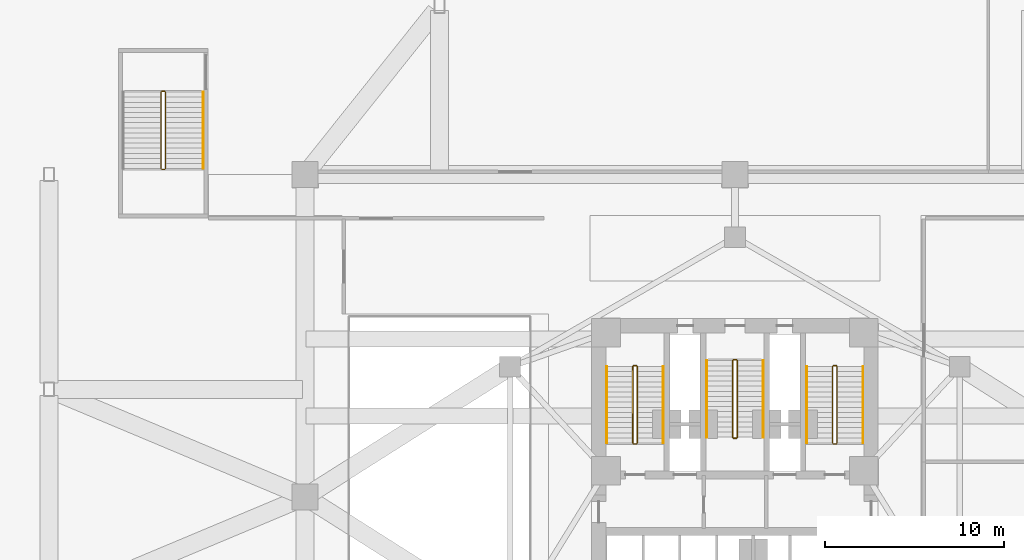
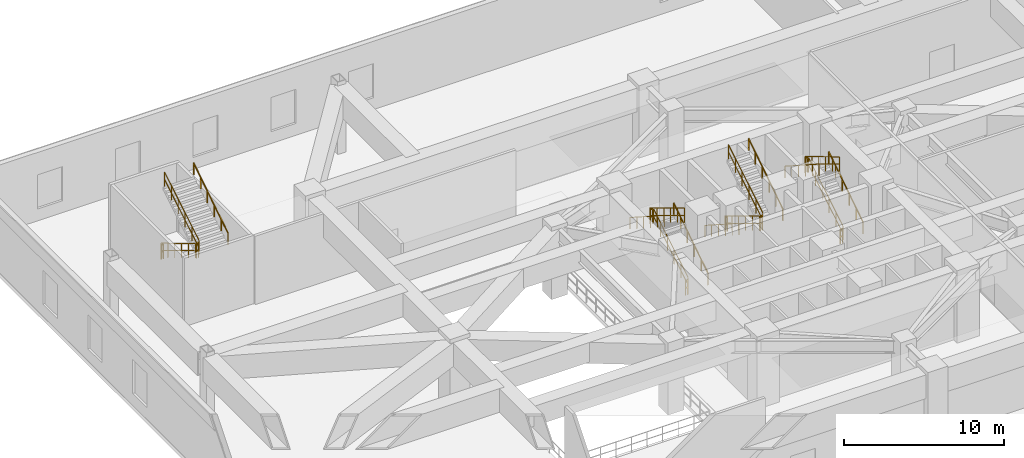
# One storey, part 19 of 23: 23 railings.
"""IFC4 building model written with IfcOpenShell, lengths in metres."""

from ifc_helpers import new_model, si_unit, direction, frame, origin, origin_2d, place, context, subcontext, project, spatial, rectangle, extrude, material, type_object, element, save


model = new_model("IFC4")

# Units and contexts
model_context = context("Model", 3, precision=1e-05, world=origin(), true_north=direction((0.0, 1.0)))
body_context = subcontext(model_context, "Body", "Model", "MODEL_VIEW")
ifc_project = project(units=[si_unit("LENGTHUNIT", "METRE"), si_unit("AREAUNIT", "SQUARE_METRE"), si_unit("VOLUMEUNIT", "CUBIC_METRE"), si_unit("PLANEANGLEUNIT", "RADIAN"), si_unit("MASSUNIT", "GRAM", prefix="KILO")], contexts=[model_context])

# Site, building, storey
site_placement = place(None, origin())
site = spatial("IfcSite", under=ifc_project, at=site_placement, CompositionType="ELEMENT")
building_placement = place(site_placement, origin())
building = spatial("IfcBuilding", under=site, at=building_placement, Name="Apsidion Concourse Tower", CompositionType="ELEMENT")
storey_placement = place(building_placement, frame((0.0, 0.0, 6.0)))
storey = spatial("IfcBuildingStorey", under=building, at=storey_placement, Name="L01", CompositionType="ELEMENT", Elevation=6.0)

# Railings
ifc_material = material(Name="Brushed stainless steel 316", Category="steel")
railing_type_1 = type_object("IfcRailingType", Name="RL-GUARD-1100", PredefinedType="GUARDRAIL", material=ifc_material)
railing_1_placement = place(storey_placement, frame((-5.449951171875, 3.0, 0.171875)))
element("IfcRailing", 1, at=railing_1_placement, inside=storey, type_object=railing_type_1, Name="L01 ST1 stair guard 1", PredefinedType="GUARDRAIL", context=body_context, shape_type="SweptSolid", body=[
    extrude(rectangle(XDim=0.048095703125, YDim=0.048095703125, at=origin_2d()), frame((0.0, 0.0, 1.09619140625), z_axis=(0.0, 0.856325638601, 0.51643625035), x_axis=(-1.0, 0.0, 0.0)), (0.0, 0.0, 1.0), 4.9921875),
    extrude(rectangle(XDim=0.048095703125, YDim=0.048095703125, at=origin_2d()), frame((0.0, 0.0, 0.5361328125), z_axis=(0.0, 0.856325638601, 0.51643625035), x_axis=(-1.0, 0.0, 0.0)), (0.0, 0.0, 1.0), 4.9921875),
    extrude(rectangle(XDim=0.0419921875, YDim=0.0419921875, at=origin_2d()), origin(), (0.0, 0.0, 1.0), 1.072021484375),
    extrude(rectangle(XDim=0.0419921875, YDim=0.0419921875, at=origin_2d()), frame((0.0, 0.85498046875, 0.515625)), (0.0, 0.0, 1.0), 1.072021484375),
    extrude(rectangle(XDim=0.0419921875, YDim=0.0419921875, at=origin_2d()), frame((0.0, 1.7099609375, 1.03125)), (0.0, 0.0, 1.0), 1.072021484375),
    extrude(rectangle(XDim=0.0419921875, YDim=0.0419921875, at=origin_2d()), frame((0.0, 2.56494140625, 1.546875)), (0.0, 0.0, 1.0), 1.072021484375),
    extrude(rectangle(XDim=0.0419921875, YDim=0.0419921875, at=origin_2d()), frame((0.0, 3.419921875, 2.0625)), (0.0, 0.0, 1.0), 1.072021484375),
    extrude(rectangle(XDim=0.0419921875, YDim=0.0419921875, at=origin_2d()), frame((0.0, 4.27490234375, 2.578125)), (0.0, 0.0, 1.0), 1.072021484375),
])
railing_2_placement = place(storey_placement, frame((-5.5, 7.324951171875, 2.75)))
element("IfcRailing", 2, at=railing_2_placement, inside=storey, type_object=railing_type_1, Name="L01 ST1 stair guard 2", PredefinedType="GUARDRAIL", context=body_context, shape_type="SweptSolid", body=[
    extrude(rectangle(XDim=0.048095703125, YDim=0.048095703125, at=origin_2d()), frame((0.0, 0.0, 1.09619140625), z_axis=(-1.0, 0.0, 0.0), x_axis=(0.0, -1.0, 0.0)), (0.0, 0.0, 1.0), 0.14990234375),
    extrude(rectangle(XDim=0.048095703125, YDim=0.048095703125, at=origin_2d()), frame((0.0, 0.0, 0.5361328125), z_axis=(-1.0, 0.0, 0.0), x_axis=(0.0, -1.0, 0.0)), (0.0, 0.0, 1.0), 0.14990234375),
    extrude(rectangle(XDim=0.0419921875, YDim=0.0419921875, at=origin_2d()), origin(), (0.0, 0.0, 1.0), 1.072021484375),
    extrude(rectangle(XDim=0.0419921875, YDim=0.0419921875, at=origin_2d()), frame((-0.14990234375, 0.0, 0.0)), (0.0, 0.0, 1.0), 1.072021484375),
])
railing_3_placement = place(storey_placement, frame((-5.699951171875, 7.27490234375, 2.921875)))
element("IfcRailing", 3, at=railing_3_placement, inside=storey, type_object=railing_type_1, Name="L01 ST1 stair guard 3", PredefinedType="GUARDRAIL", context=body_context, shape_type="SweptSolid", body=[
    extrude(rectangle(XDim=0.048095703125, YDim=0.048095703125, at=origin_2d()), frame((0.0, 0.0, 1.09619140625), z_axis=(0.0, -0.856325638601, 0.51643625035), x_axis=(1.0, 0.0, 0.0)), (0.0, 0.0, 1.0), 4.9921875),
    extrude(rectangle(XDim=0.048095703125, YDim=0.048095703125, at=origin_2d()), frame((0.0, 0.0, 0.5361328125), z_axis=(0.0, -0.856325638601, 0.51643625035), x_axis=(1.0, 0.0, 0.0)), (0.0, 0.0, 1.0), 4.9921875),
    extrude(rectangle(XDim=0.0419921875, YDim=0.0419921875, at=origin_2d()), origin(), (0.0, 0.0, 1.0), 1.072021484375),
    extrude(rectangle(XDim=0.0419921875, YDim=0.0419921875, at=origin_2d()), frame((0.0, -0.85498046875, 0.515625)), (0.0, 0.0, 1.0), 1.072021484375),
    extrude(rectangle(XDim=0.0419921875, YDim=0.0419921875, at=origin_2d()), frame((0.0, -1.7099609375, 1.03125)), (0.0, 0.0, 1.0), 1.072021484375),
    extrude(rectangle(XDim=0.0419921875, YDim=0.0419921875, at=origin_2d()), frame((0.0, -2.56494140625, 1.546875)), (0.0, 0.0, 1.0), 1.072021484375),
    extrude(rectangle(XDim=0.0419921875, YDim=0.0419921875, at=origin_2d()), frame((0.0, -3.419921875, 2.0625)), (0.0, 0.0, 1.0), 1.072021484375),
    extrude(rectangle(XDim=0.0419921875, YDim=0.0419921875, at=origin_2d()), frame((0.0, -4.27490234375, 2.578125)), (0.0, 0.0, 1.0), 1.072021484375),
])
railing_4_placement = place(storey_placement, frame((-5.5, 2.949951171875, 0.0)))
element("IfcRailing", 4, at=railing_4_placement, inside=storey, type_object=railing_type_1, Name="L01 ST1 stair guard 4", PredefinedType="GUARDRAIL", context=body_context, shape_type="SweptSolid", body=[
    extrude(rectangle(XDim=0.048095703125, YDim=0.048095703125, at=origin_2d()), frame((0.0, 0.0, 1.09619140625), z_axis=(-1.0, 0.0, 0.0), x_axis=(0.0, -1.0, 0.0)), (0.0, 0.0, 1.0), 0.14990234375),
    extrude(rectangle(XDim=0.048095703125, YDim=0.048095703125, at=origin_2d()), frame((0.0, 0.0, 0.5361328125), z_axis=(-1.0, 0.0, 0.0), x_axis=(0.0, -1.0, 0.0)), (0.0, 0.0, 1.0), 0.14990234375),
    extrude(rectangle(XDim=0.0419921875, YDim=0.0419921875, at=origin_2d()), origin(), (0.0, 0.0, 1.0), 1.072021484375),
    extrude(rectangle(XDim=0.0419921875, YDim=0.0419921875, at=origin_2d()), frame((-0.14990234375, 0.0, 0.0)), (0.0, 0.0, 1.0), 1.072021484375),
])
railing_5_placement = place(storey_placement, frame((5.699951171875, 3.0, 0.171875)))
element("IfcRailing", 5, at=railing_5_placement, inside=storey, type_object=railing_type_1, Name="L01 ST2 stair guard 1", PredefinedType="GUARDRAIL", context=body_context, shape_type="SweptSolid", body=[
    extrude(rectangle(XDim=0.048095703125, YDim=0.048095703125, at=origin_2d()), frame((0.0, 0.0, 1.09619140625), z_axis=(0.0, 0.856325638601, 0.51643625035), x_axis=(-1.0, 0.0, 0.0)), (0.0, 0.0, 1.0), 4.9921875),
    extrude(rectangle(XDim=0.048095703125, YDim=0.048095703125, at=origin_2d()), frame((0.0, 0.0, 0.5361328125), z_axis=(0.0, 0.856325638601, 0.51643625035), x_axis=(-1.0, 0.0, 0.0)), (0.0, 0.0, 1.0), 4.9921875),
    extrude(rectangle(XDim=0.0419921875, YDim=0.0419921875, at=origin_2d()), origin(), (0.0, 0.0, 1.0), 1.072021484375),
    extrude(rectangle(XDim=0.0419921875, YDim=0.0419921875, at=origin_2d()), frame((0.0, 0.85498046875, 0.515625)), (0.0, 0.0, 1.0), 1.072021484375),
    extrude(rectangle(XDim=0.0419921875, YDim=0.0419921875, at=origin_2d()), frame((0.0, 1.7099609375, 1.03125)), (0.0, 0.0, 1.0), 1.072021484375),
    extrude(rectangle(XDim=0.0419921875, YDim=0.0419921875, at=origin_2d()), frame((0.0, 2.56494140625, 1.546875)), (0.0, 0.0, 1.0), 1.072021484375),
    extrude(rectangle(XDim=0.0419921875, YDim=0.0419921875, at=origin_2d()), frame((0.0, 3.419921875, 2.0625)), (0.0, 0.0, 1.0), 1.072021484375),
    extrude(rectangle(XDim=0.0419921875, YDim=0.0419921875, at=origin_2d()), frame((0.0, 4.27490234375, 2.578125)), (0.0, 0.0, 1.0), 1.072021484375),
])
railing_6_placement = place(storey_placement, frame((5.64990234375, 7.324951171875, 2.75)))
element("IfcRailing", 6, at=railing_6_placement, inside=storey, type_object=railing_type_1, Name="L01 ST2 stair guard 2", PredefinedType="GUARDRAIL", context=body_context, shape_type="SweptSolid", body=[
    extrude(rectangle(XDim=0.048095703125, YDim=0.048095703125, at=origin_2d()), frame((0.0, 0.0, 1.09619140625), z_axis=(-1.0, 0.0, 0.0), x_axis=(0.0, -1.0, 0.0)), (0.0, 0.0, 1.0), 0.14990234375),
    extrude(rectangle(XDim=0.048095703125, YDim=0.048095703125, at=origin_2d()), frame((0.0, 0.0, 0.5361328125), z_axis=(-1.0, 0.0, 0.0), x_axis=(0.0, -1.0, 0.0)), (0.0, 0.0, 1.0), 0.14990234375),
    extrude(rectangle(XDim=0.0419921875, YDim=0.0419921875, at=origin_2d()), origin(), (0.0, 0.0, 1.0), 1.072021484375),
    extrude(rectangle(XDim=0.0419921875, YDim=0.0419921875, at=origin_2d()), frame((-0.14990234375, 0.0, 0.0)), (0.0, 0.0, 1.0), 1.072021484375),
])
railing_7_placement = place(storey_placement, frame((5.449951171875, 7.27490234375, 2.921875)))
element("IfcRailing", 7, at=railing_7_placement, inside=storey, type_object=railing_type_1, Name="L01 ST2 stair guard 3", PredefinedType="GUARDRAIL", context=body_context, shape_type="SweptSolid", body=[
    extrude(rectangle(XDim=0.048095703125, YDim=0.048095703125, at=origin_2d()), frame((0.0, 0.0, 1.09619140625), z_axis=(0.0, -0.856325638601, 0.51643625035), x_axis=(1.0, 0.0, 0.0)), (0.0, 0.0, 1.0), 4.9921875),
    extrude(rectangle(XDim=0.048095703125, YDim=0.048095703125, at=origin_2d()), frame((0.0, 0.0, 0.5361328125), z_axis=(0.0, -0.856325638601, 0.51643625035), x_axis=(1.0, 0.0, 0.0)), (0.0, 0.0, 1.0), 4.9921875),
    extrude(rectangle(XDim=0.0419921875, YDim=0.0419921875, at=origin_2d()), origin(), (0.0, 0.0, 1.0), 1.072021484375),
    extrude(rectangle(XDim=0.0419921875, YDim=0.0419921875, at=origin_2d()), frame((0.0, -0.85498046875, 0.515625)), (0.0, 0.0, 1.0), 1.072021484375),
    extrude(rectangle(XDim=0.0419921875, YDim=0.0419921875, at=origin_2d()), frame((0.0, -1.7099609375, 1.03125)), (0.0, 0.0, 1.0), 1.072021484375),
    extrude(rectangle(XDim=0.0419921875, YDim=0.0419921875, at=origin_2d()), frame((0.0, -2.56494140625, 1.546875)), (0.0, 0.0, 1.0), 1.072021484375),
    extrude(rectangle(XDim=0.0419921875, YDim=0.0419921875, at=origin_2d()), frame((0.0, -3.419921875, 2.0625)), (0.0, 0.0, 1.0), 1.072021484375),
    extrude(rectangle(XDim=0.0419921875, YDim=0.0419921875, at=origin_2d()), frame((0.0, -4.27490234375, 2.578125)), (0.0, 0.0, 1.0), 1.072021484375),
])
railing_8_placement = place(storey_placement, frame((5.64990234375, 2.949951171875, 0.0)))
element("IfcRailing", 8, at=railing_8_placement, inside=storey, type_object=railing_type_1, Name="L01 ST2 stair guard 4", PredefinedType="GUARDRAIL", context=body_context, shape_type="SweptSolid", body=[
    extrude(rectangle(XDim=0.048095703125, YDim=0.048095703125, at=origin_2d()), frame((0.0, 0.0, 1.09619140625), z_axis=(-1.0, 0.0, 0.0), x_axis=(0.0, -1.0, 0.0)), (0.0, 0.0, 1.0), 0.14990234375),
    extrude(rectangle(XDim=0.048095703125, YDim=0.048095703125, at=origin_2d()), frame((0.0, 0.0, 0.5361328125), z_axis=(-1.0, 0.0, 0.0), x_axis=(0.0, -1.0, 0.0)), (0.0, 0.0, 1.0), 0.14990234375),
    extrude(rectangle(XDim=0.0419921875, YDim=0.0419921875, at=origin_2d()), origin(), (0.0, 0.0, 1.0), 1.072021484375),
    extrude(rectangle(XDim=0.0419921875, YDim=0.0419921875, at=origin_2d()), frame((-0.14990234375, 0.0, 0.0)), (0.0, 0.0, 1.0), 1.072021484375),
])
railing_9_placement = place(storey_placement, frame((-0.125, 7.60009765625, 0.171875)))
element("IfcRailing", 9, at=railing_9_placement, inside=storey, type_object=railing_type_1, Name="L01 ST3 stair guard 1", PredefinedType="GUARDRAIL", context=body_context, shape_type="SweptSolid", body=[
    extrude(rectangle(XDim=0.048095703125, YDim=0.048095703125, at=origin_2d()), frame((0.0, 0.0, 1.09619140625), z_axis=(0.0, -0.856338681044, 0.516414623484), x_axis=(1.0, 0.0, 0.0)), (0.0, 0.0, 1.0), 4.992431640625),
    extrude(rectangle(XDim=0.048095703125, YDim=0.048095703125, at=origin_2d()), frame((0.0, 0.0, 0.5361328125), z_axis=(0.0, -0.856338681044, 0.516414623484), x_axis=(1.0, 0.0, 0.0)), (0.0, 0.0, 1.0), 4.992431640625),
    extrude(rectangle(XDim=0.0419921875, YDim=0.0419921875, at=origin_2d()), origin(), (0.0, 0.0, 1.0), 1.072021484375),
    extrude(rectangle(XDim=0.0419921875, YDim=0.0419921875, at=origin_2d()), frame((0.0, -0.85498046875, 0.515625)), (0.0, 0.0, 1.0), 1.072021484375),
    extrude(rectangle(XDim=0.0419921875, YDim=0.0419921875, at=origin_2d()), frame((0.0, -1.7099609375, 1.03125)), (0.0, 0.0, 1.0), 1.072021484375),
    extrude(rectangle(XDim=0.0419921875, YDim=0.0419921875, at=origin_2d()), frame((0.0, -2.565185546875, 1.546875)), (0.0, 0.0, 1.0), 1.072021484375),
    extrude(rectangle(XDim=0.0419921875, YDim=0.0419921875, at=origin_2d()), frame((0.0, -3.420166015625, 2.0625)), (0.0, 0.0, 1.0), 1.072021484375),
    extrude(rectangle(XDim=0.0419921875, YDim=0.0419921875, at=origin_2d()), frame((0.0, -4.275146484375, 2.578125)), (0.0, 0.0, 1.0), 1.072021484375),
])
railing_10_placement = place(storey_placement, frame((-0.074951171875, 3.27490234375, 2.75)))
element("IfcRailing", 10, at=railing_10_placement, inside=storey, type_object=railing_type_1, Name="L01 ST3 stair guard 2", PredefinedType="GUARDRAIL", context=body_context, shape_type="SweptSolid", body=[
    extrude(rectangle(XDim=0.048095703125, YDim=0.048095703125, at=origin_2d()), frame((0.0, 0.0, 1.09619140625), z_axis=(1.0, 0.0, 0.0), x_axis=(0.0, 1.0, 0.0)), (0.0, 0.0, 1.0), 0.14990234375),
    extrude(rectangle(XDim=0.048095703125, YDim=0.048095703125, at=origin_2d()), frame((0.0, 0.0, 0.5361328125), z_axis=(1.0, 0.0, 0.0), x_axis=(0.0, 1.0, 0.0)), (0.0, 0.0, 1.0), 0.14990234375),
    extrude(rectangle(XDim=0.0419921875, YDim=0.0419921875, at=origin_2d()), origin(), (0.0, 0.0, 1.0), 1.072021484375),
    extrude(rectangle(XDim=0.0419921875, YDim=0.0419921875, at=origin_2d()), frame((0.14990234375, 0.0, 0.0)), (0.0, 0.0, 1.0), 1.072021484375),
])
railing_11_placement = place(storey_placement, frame((0.125, 3.324951171875, 2.921875)))
element("IfcRailing", 11, at=railing_11_placement, inside=storey, type_object=railing_type_1, Name="L01 ST3 stair guard 3", PredefinedType="GUARDRAIL", context=body_context, shape_type="SweptSolid", body=[
    extrude(rectangle(XDim=0.048095703125, YDim=0.048095703125, at=origin_2d()), frame((0.0, 0.0, 1.09619140625), z_axis=(0.0, 0.856338681044, 0.516414623484), x_axis=(-1.0, 0.0, 0.0)), (0.0, 0.0, 1.0), 4.992431640625),
    extrude(rectangle(XDim=0.048095703125, YDim=0.048095703125, at=origin_2d()), frame((0.0, 0.0, 0.5361328125), z_axis=(0.0, 0.856338681044, 0.516414623484), x_axis=(-1.0, 0.0, 0.0)), (0.0, 0.0, 1.0), 4.992431640625),
    extrude(rectangle(XDim=0.0419921875, YDim=0.0419921875, at=origin_2d()), origin(), (0.0, 0.0, 1.0), 1.072021484375),
    extrude(rectangle(XDim=0.0419921875, YDim=0.0419921875, at=origin_2d()), frame((0.0, 0.85498046875, 0.515625)), (0.0, 0.0, 1.0), 1.072021484375),
    extrude(rectangle(XDim=0.0419921875, YDim=0.0419921875, at=origin_2d()), frame((0.0, 1.7099609375, 1.03125)), (0.0, 0.0, 1.0), 1.072021484375),
    extrude(rectangle(XDim=0.0419921875, YDim=0.0419921875, at=origin_2d()), frame((0.0, 2.565185546875, 1.546875)), (0.0, 0.0, 1.0), 1.072021484375),
    extrude(rectangle(XDim=0.0419921875, YDim=0.0419921875, at=origin_2d()), frame((0.0, 3.420166015625, 2.0625)), (0.0, 0.0, 1.0), 1.072021484375),
    extrude(rectangle(XDim=0.0419921875, YDim=0.0419921875, at=origin_2d()), frame((0.0, 4.275146484375, 2.578125)), (0.0, 0.0, 1.0), 1.072021484375),
])
railing_12_placement = place(storey_placement, frame((-0.074951171875, 7.64990234375, 0.0)))
element("IfcRailing", 12, at=railing_12_placement, inside=storey, type_object=railing_type_1, Name="L01 ST3 stair guard 4", PredefinedType="GUARDRAIL", context=body_context, shape_type="SweptSolid", body=[
    extrude(rectangle(XDim=0.048095703125, YDim=0.048095703125, at=origin_2d()), frame((0.0, 0.0, 1.09619140625), z_axis=(1.0, 0.0, 0.0), x_axis=(0.0, 1.0, 0.0)), (0.0, 0.0, 1.0), 0.14990234375),
    extrude(rectangle(XDim=0.048095703125, YDim=0.048095703125, at=origin_2d()), frame((0.0, 0.0, 0.5361328125), z_axis=(1.0, 0.0, 0.0), x_axis=(0.0, 1.0, 0.0)), (0.0, 0.0, 1.0), 0.14990234375),
    extrude(rectangle(XDim=0.0419921875, YDim=0.0419921875, at=origin_2d()), origin(), (0.0, 0.0, 1.0), 1.072021484375),
    extrude(rectangle(XDim=0.0419921875, YDim=0.0419921875, at=origin_2d()), frame((0.14990234375, 0.0, 0.0)), (0.0, 0.0, 1.0), 1.072021484375),
])
railing_13_placement = place(storey_placement, frame((-32.050048828125, 22.60009765625, 0.171875)))
element("IfcRailing", 13, at=railing_13_placement, inside=storey, type_object=railing_type_1, Name="L01 ST-P3 stair guard 1", PredefinedType="GUARDRAIL", context=body_context, shape_type="SweptSolid", body=[
    extrude(rectangle(XDim=0.048095703125, YDim=0.048095703125, at=origin_2d()), frame((0.0, 0.0, 1.09619140625), z_axis=(0.0, -0.856338681044, 0.516414623484), x_axis=(1.0, 0.0, 0.0)), (0.0, 0.0, 1.0), 4.992431640625),
    extrude(rectangle(XDim=0.048095703125, YDim=0.048095703125, at=origin_2d()), frame((0.0, 0.0, 0.5361328125), z_axis=(0.0, -0.856338681044, 0.516414623484), x_axis=(1.0, 0.0, 0.0)), (0.0, 0.0, 1.0), 4.992431640625),
    extrude(rectangle(XDim=0.0419921875, YDim=0.0419921875, at=origin_2d()), origin(), (0.0, 0.0, 1.0), 1.072021484375),
    extrude(rectangle(XDim=0.0419921875, YDim=0.0419921875, at=origin_2d()), frame((0.0, -0.85498046875, 0.515625)), (0.0, 0.0, 1.0), 1.072021484375),
    extrude(rectangle(XDim=0.0419921875, YDim=0.0419921875, at=origin_2d()), frame((0.0, -1.7099609375, 1.03125)), (0.0, 0.0, 1.0), 1.072021484375),
    extrude(rectangle(XDim=0.0419921875, YDim=0.0419921875, at=origin_2d()), frame((0.0, -2.565185546875, 1.546875)), (0.0, 0.0, 1.0), 1.072021484375),
    extrude(rectangle(XDim=0.0419921875, YDim=0.0419921875, at=origin_2d()), frame((0.0, -3.420166015625, 2.0625)), (0.0, 0.0, 1.0), 1.072021484375),
    extrude(rectangle(XDim=0.0419921875, YDim=0.0419921875, at=origin_2d()), frame((0.0, -4.275146484375, 2.578125)), (0.0, 0.0, 1.0), 1.072021484375),
])
railing_14_placement = place(storey_placement, frame((-32.0, 18.27490234375, 2.75)))
element("IfcRailing", 14, at=railing_14_placement, inside=storey, type_object=railing_type_1, Name="L01 ST-P3 stair guard 2", PredefinedType="GUARDRAIL", context=body_context, shape_type="SweptSolid", body=[
    extrude(rectangle(XDim=0.048095703125, YDim=0.048095703125, at=origin_2d()), frame((0.0, 0.0, 1.09619140625), z_axis=(1.0, 0.0, 0.0), x_axis=(0.0, 1.0, 0.0)), (0.0, 0.0, 1.0), 0.14990234375),
    extrude(rectangle(XDim=0.048095703125, YDim=0.048095703125, at=origin_2d()), frame((0.0, 0.0, 0.5361328125), z_axis=(1.0, 0.0, 0.0), x_axis=(0.0, 1.0, 0.0)), (0.0, 0.0, 1.0), 0.14990234375),
    extrude(rectangle(XDim=0.0419921875, YDim=0.0419921875, at=origin_2d()), origin(), (0.0, 0.0, 1.0), 1.072021484375),
    extrude(rectangle(XDim=0.0419921875, YDim=0.0419921875, at=origin_2d()), frame((0.14990234375, 0.0, 0.0)), (0.0, 0.0, 1.0), 1.072021484375),
])
railing_15_placement = place(storey_placement, frame((-31.800048828125, 18.324951171875, 2.921875)))
element("IfcRailing", 15, at=railing_15_placement, inside=storey, type_object=railing_type_1, Name="L01 ST-P3 stair guard 3", PredefinedType="GUARDRAIL", context=body_context, shape_type="SweptSolid", body=[
    extrude(rectangle(XDim=0.048095703125, YDim=0.048095703125, at=origin_2d()), frame((0.0, 0.0, 1.09619140625), z_axis=(0.0, 0.856338681044, 0.516414623484), x_axis=(-1.0, 0.0, 0.0)), (0.0, 0.0, 1.0), 4.992431640625),
    extrude(rectangle(XDim=0.048095703125, YDim=0.048095703125, at=origin_2d()), frame((0.0, 0.0, 0.5361328125), z_axis=(0.0, 0.856338681044, 0.516414623484), x_axis=(-1.0, 0.0, 0.0)), (0.0, 0.0, 1.0), 4.992431640625),
    extrude(rectangle(XDim=0.0419921875, YDim=0.0419921875, at=origin_2d()), origin(), (0.0, 0.0, 1.0), 1.072021484375),
    extrude(rectangle(XDim=0.0419921875, YDim=0.0419921875, at=origin_2d()), frame((0.0, 0.85498046875, 0.515625)), (0.0, 0.0, 1.0), 1.072021484375),
    extrude(rectangle(XDim=0.0419921875, YDim=0.0419921875, at=origin_2d()), frame((0.0, 1.7099609375, 1.03125)), (0.0, 0.0, 1.0), 1.072021484375),
    extrude(rectangle(XDim=0.0419921875, YDim=0.0419921875, at=origin_2d()), frame((0.0, 2.565185546875, 1.546875)), (0.0, 0.0, 1.0), 1.072021484375),
    extrude(rectangle(XDim=0.0419921875, YDim=0.0419921875, at=origin_2d()), frame((0.0, 3.420166015625, 2.0625)), (0.0, 0.0, 1.0), 1.072021484375),
    extrude(rectangle(XDim=0.0419921875, YDim=0.0419921875, at=origin_2d()), frame((0.0, 4.275146484375, 2.578125)), (0.0, 0.0, 1.0), 1.072021484375),
])
railing_16_placement = place(storey_placement, frame((-32.0, 22.64990234375, 0.0)))
element("IfcRailing", 16, at=railing_16_placement, inside=storey, type_object=railing_type_1, Name="L01 ST-P3 stair guard 4", PredefinedType="GUARDRAIL", context=body_context, shape_type="SweptSolid", body=[
    extrude(rectangle(XDim=0.048095703125, YDim=0.048095703125, at=origin_2d()), frame((0.0, 0.0, 1.09619140625), z_axis=(1.0, 0.0, 0.0), x_axis=(0.0, 1.0, 0.0)), (0.0, 0.0, 1.0), 0.14990234375),
    extrude(rectangle(XDim=0.048095703125, YDim=0.048095703125, at=origin_2d()), frame((0.0, 0.0, 0.5361328125), z_axis=(1.0, 0.0, 0.0), x_axis=(0.0, 1.0, 0.0)), (0.0, 0.0, 1.0), 0.14990234375),
    extrude(rectangle(XDim=0.0419921875, YDim=0.0419921875, at=origin_2d()), origin(), (0.0, 0.0, 1.0), 1.072021484375),
    extrude(rectangle(XDim=0.0419921875, YDim=0.0419921875, at=origin_2d()), frame((0.14990234375, 0.0, 0.0)), (0.0, 0.0, 1.0), 1.072021484375),
])
railing_type_2 = type_object("IfcRailingType", Name="RL-HAND-900", PredefinedType="HANDRAIL", material=ifc_material)
railing_17_placement = place(storey_placement, frame((-4.0, 3.0, 0.171875)))
element("IfcRailing", 17, at=railing_17_placement, inside=storey, type_object=railing_type_2, Name="L01 ST1 stair handrail 1", PredefinedType="HANDRAIL", context=body_context, shape_type="SweptSolid", body=[
    extrude(rectangle(XDim=0.048095703125, YDim=0.048095703125, at=origin_2d()), frame((0.0, 0.0, 0.8759765625), z_axis=(0.0, 0.841013017101, 0.54101488433), x_axis=(-1.0, 0.0, 0.0)), (0.0, 0.0, 1.0), 5.0830078125),
    extrude(rectangle(XDim=0.0419921875, YDim=0.0419921875, at=origin_2d()), origin(), (0.0, 0.0, 1.0), 0.851806640625),
    extrude(rectangle(XDim=0.0419921875, YDim=0.0419921875, at=origin_2d()), frame((0.0, 0.85498046875, 0.550048828125)), (0.0, 0.0, 1.0), 0.851806640625),
    extrude(rectangle(XDim=0.0419921875, YDim=0.0419921875, at=origin_2d()), frame((0.0, 1.7099609375, 1.10009765625)), (0.0, 0.0, 1.0), 0.851806640625),
    extrude(rectangle(XDim=0.0419921875, YDim=0.0419921875, at=origin_2d()), frame((0.0, 2.56494140625, 1.64990234375)), (0.0, 0.0, 1.0), 0.851806640625),
    extrude(rectangle(XDim=0.0419921875, YDim=0.0419921875, at=origin_2d()), frame((0.0, 3.419921875, 2.199951171875)), (0.0, 0.0, 1.0), 0.851806640625),
    extrude(rectangle(XDim=0.0419921875, YDim=0.0419921875, at=origin_2d()), frame((0.0, 4.27490234375, 2.75)), (0.0, 0.0, 1.0), 0.851806640625),
])
railing_18_placement = place(storey_placement, frame((-7.14990234375, 7.27490234375, 2.921875)))
element("IfcRailing", 18, at=railing_18_placement, inside=storey, type_object=railing_type_2, Name="L01 ST1 stair handrail 2", PredefinedType="HANDRAIL", context=body_context, shape_type="SweptSolid", body=[
    extrude(rectangle(XDim=0.048095703125, YDim=0.048095703125, at=origin_2d()), frame((0.0, 0.0, 0.8759765625), z_axis=(0.0, -0.841013017101, 0.54101488433), x_axis=(1.0, 0.0, 0.0)), (0.0, 0.0, 1.0), 5.0830078125),
    extrude(rectangle(XDim=0.0419921875, YDim=0.0419921875, at=origin_2d()), origin(), (0.0, 0.0, 1.0), 0.851806640625),
    extrude(rectangle(XDim=0.0419921875, YDim=0.0419921875, at=origin_2d()), frame((0.0, -0.85498046875, 0.550048828125)), (0.0, 0.0, 1.0), 0.851806640625),
    extrude(rectangle(XDim=0.0419921875, YDim=0.0419921875, at=origin_2d()), frame((0.0, -1.7099609375, 1.10009765625)), (0.0, 0.0, 1.0), 0.851806640625),
    extrude(rectangle(XDim=0.0419921875, YDim=0.0419921875, at=origin_2d()), frame((0.0, -2.56494140625, 1.64990234375)), (0.0, 0.0, 1.0), 0.851806640625),
    extrude(rectangle(XDim=0.0419921875, YDim=0.0419921875, at=origin_2d()), frame((0.0, -3.419921875, 2.199951171875)), (0.0, 0.0, 1.0), 0.851806640625),
    extrude(rectangle(XDim=0.0419921875, YDim=0.0419921875, at=origin_2d()), frame((0.0, -4.27490234375, 2.75)), (0.0, 0.0, 1.0), 0.851806640625),
])
railing_19_placement = place(storey_placement, frame((7.14990234375, 3.0, 0.171875)))
element("IfcRailing", 19, at=railing_19_placement, inside=storey, type_object=railing_type_2, Name="L01 ST2 stair handrail 1", PredefinedType="HANDRAIL", context=body_context, shape_type="SweptSolid", body=[
    extrude(rectangle(XDim=0.048095703125, YDim=0.048095703125, at=origin_2d()), frame((0.0, 0.0, 0.8759765625), z_axis=(0.0, 0.841013017101, 0.54101488433), x_axis=(-1.0, 0.0, 0.0)), (0.0, 0.0, 1.0), 5.0830078125),
    extrude(rectangle(XDim=0.0419921875, YDim=0.0419921875, at=origin_2d()), origin(), (0.0, 0.0, 1.0), 0.851806640625),
    extrude(rectangle(XDim=0.0419921875, YDim=0.0419921875, at=origin_2d()), frame((0.0, 0.85498046875, 0.550048828125)), (0.0, 0.0, 1.0), 0.851806640625),
    extrude(rectangle(XDim=0.0419921875, YDim=0.0419921875, at=origin_2d()), frame((0.0, 1.7099609375, 1.10009765625)), (0.0, 0.0, 1.0), 0.851806640625),
    extrude(rectangle(XDim=0.0419921875, YDim=0.0419921875, at=origin_2d()), frame((0.0, 2.56494140625, 1.64990234375)), (0.0, 0.0, 1.0), 0.851806640625),
    extrude(rectangle(XDim=0.0419921875, YDim=0.0419921875, at=origin_2d()), frame((0.0, 3.419921875, 2.199951171875)), (0.0, 0.0, 1.0), 0.851806640625),
    extrude(rectangle(XDim=0.0419921875, YDim=0.0419921875, at=origin_2d()), frame((0.0, 4.27490234375, 2.75)), (0.0, 0.0, 1.0), 0.851806640625),
])
railing_20_placement = place(storey_placement, frame((4.0, 7.27490234375, 2.921875)))
element("IfcRailing", 20, at=railing_20_placement, inside=storey, type_object=railing_type_2, Name="L01 ST2 stair handrail 2", PredefinedType="HANDRAIL", context=body_context, shape_type="SweptSolid", body=[
    extrude(rectangle(XDim=0.048095703125, YDim=0.048095703125, at=origin_2d()), frame((0.0, 0.0, 0.8759765625), z_axis=(0.0, -0.841013017101, 0.54101488433), x_axis=(1.0, 0.0, 0.0)), (0.0, 0.0, 1.0), 5.0830078125),
    extrude(rectangle(XDim=0.0419921875, YDim=0.0419921875, at=origin_2d()), origin(), (0.0, 0.0, 1.0), 0.851806640625),
    extrude(rectangle(XDim=0.0419921875, YDim=0.0419921875, at=origin_2d()), frame((0.0, -0.85498046875, 0.550048828125)), (0.0, 0.0, 1.0), 0.851806640625),
    extrude(rectangle(XDim=0.0419921875, YDim=0.0419921875, at=origin_2d()), frame((0.0, -1.7099609375, 1.10009765625)), (0.0, 0.0, 1.0), 0.851806640625),
    extrude(rectangle(XDim=0.0419921875, YDim=0.0419921875, at=origin_2d()), frame((0.0, -2.56494140625, 1.64990234375)), (0.0, 0.0, 1.0), 0.851806640625),
    extrude(rectangle(XDim=0.0419921875, YDim=0.0419921875, at=origin_2d()), frame((0.0, -3.419921875, 2.199951171875)), (0.0, 0.0, 1.0), 0.851806640625),
    extrude(rectangle(XDim=0.0419921875, YDim=0.0419921875, at=origin_2d()), frame((0.0, -4.27490234375, 2.75)), (0.0, 0.0, 1.0), 0.851806640625),
])
railing_21_placement = place(storey_placement, frame((-1.574951171875, 7.60009765625, 0.171875)))
element("IfcRailing", 21, at=railing_21_placement, inside=storey, type_object=railing_type_2, Name="L01 ST3 stair handrail 1", PredefinedType="HANDRAIL", context=body_context, shape_type="SweptSolid", body=[
    extrude(rectangle(XDim=0.048095703125, YDim=0.048095703125, at=origin_2d()), frame((0.0, 0.0, 0.8759765625), z_axis=(0.0, -0.84102707462, 0.540993031153), x_axis=(1.0, 0.0, 0.0)), (0.0, 0.0, 1.0), 5.083251953125),
    extrude(rectangle(XDim=0.0419921875, YDim=0.0419921875, at=origin_2d()), origin(), (0.0, 0.0, 1.0), 0.851806640625),
    extrude(rectangle(XDim=0.0419921875, YDim=0.0419921875, at=origin_2d()), frame((0.0, -0.85498046875, 0.550048828125)), (0.0, 0.0, 1.0), 0.851806640625),
    extrude(rectangle(XDim=0.0419921875, YDim=0.0419921875, at=origin_2d()), frame((0.0, -1.7099609375, 1.10009765625)), (0.0, 0.0, 1.0), 0.851806640625),
    extrude(rectangle(XDim=0.0419921875, YDim=0.0419921875, at=origin_2d()), frame((0.0, -2.565185546875, 1.64990234375)), (0.0, 0.0, 1.0), 0.851806640625),
    extrude(rectangle(XDim=0.0419921875, YDim=0.0419921875, at=origin_2d()), frame((0.0, -3.420166015625, 2.199951171875)), (0.0, 0.0, 1.0), 0.851806640625),
    extrude(rectangle(XDim=0.0419921875, YDim=0.0419921875, at=origin_2d()), frame((0.0, -4.275146484375, 2.75)), (0.0, 0.0, 1.0), 0.851806640625),
])
for number, where, name in (
    (22, (1.574951171875, 3.324951171875, 2.921875), "L01 ST3 stair handrail 2"),
    (23, (-29.699951171875, 18.324951171875, 2.921875), "L01 ST-P3 stair handrail 2"),
):
    element("IfcRailing", number, at=place(storey_placement, frame(where)), inside=storey, type_object=railing_type_2, Name=name, PredefinedType="HANDRAIL", context=body_context, shape_type="SweptSolid", body=[
        extrude(rectangle(XDim=0.048095703125, YDim=0.048095703125, at=origin_2d()), frame((0.0, 0.0, 0.8759765625), z_axis=(0.0, 0.84102707462, 0.540993031153), x_axis=(-1.0, 0.0, 0.0)), (0.0, 0.0, 1.0), 5.083251953125),
        extrude(rectangle(XDim=0.0419921875, YDim=0.0419921875, at=origin_2d()), origin(), (0.0, 0.0, 1.0), 0.851806640625),
        extrude(rectangle(XDim=0.0419921875, YDim=0.0419921875, at=origin_2d()), frame((0.0, 0.85498046875, 0.550048828125)), (0.0, 0.0, 1.0), 0.851806640625),
        extrude(rectangle(XDim=0.0419921875, YDim=0.0419921875, at=origin_2d()), frame((0.0, 1.7099609375, 1.10009765625)), (0.0, 0.0, 1.0), 0.851806640625),
        extrude(rectangle(XDim=0.0419921875, YDim=0.0419921875, at=origin_2d()), frame((0.0, 2.565185546875, 1.64990234375)), (0.0, 0.0, 1.0), 0.851806640625),
        extrude(rectangle(XDim=0.0419921875, YDim=0.0419921875, at=origin_2d()), frame((0.0, 3.420166015625, 2.199951171875)), (0.0, 0.0, 1.0), 0.851806640625),
        extrude(rectangle(XDim=0.0419921875, YDim=0.0419921875, at=origin_2d()), frame((0.0, 4.275146484375, 2.75)), (0.0, 0.0, 1.0), 0.851806640625),
    ])

save(model, "model.ifc")
